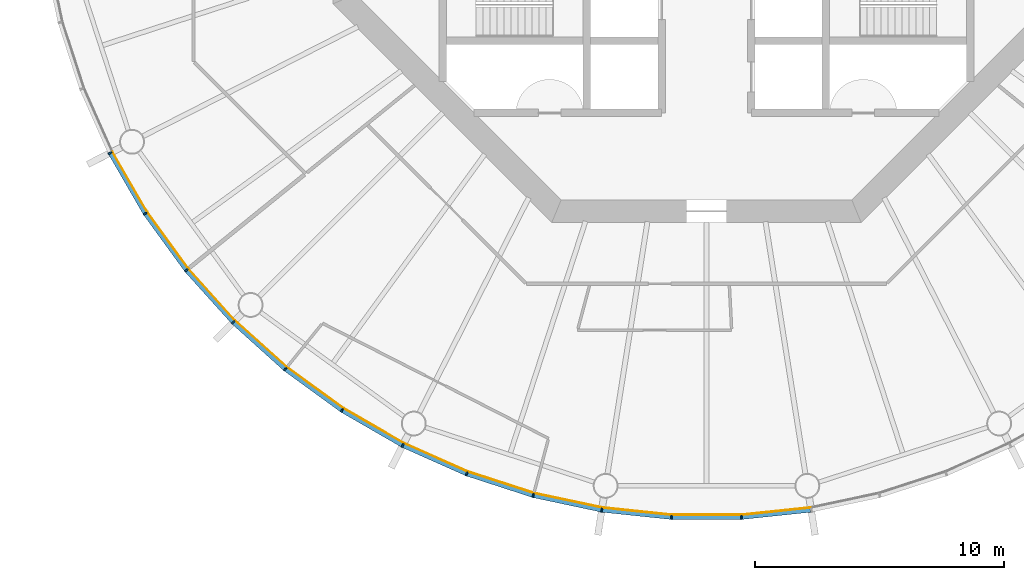
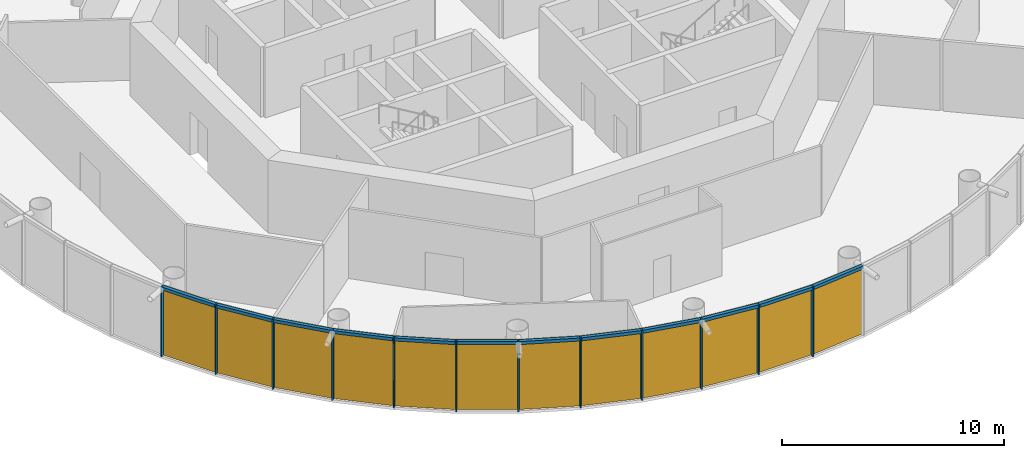
# One storey, part 6 of 12: 24 members, 4 curtain walls.
"""IFC4 building model written with IfcOpenShell, lengths in metres."""

from ifc_helpers import new_model, si_unit, direction, frame, origin, origin_2d, place, context, subcontext, project, spatial, polyline, rectangle, outline, extrude, material, layer, layer_set, material_profile, profile_set, type_object, element, aggregate, save


model = new_model("IFC4")

# Units and contexts
model_context = context("Model", 3, precision=1e-05, world=origin(), true_north=direction((0.0, 1.0)))
body_context = subcontext(model_context, "Body", "Model", "MODEL_VIEW")
ifc_project = project(units=[si_unit("LENGTHUNIT", "METRE"), si_unit("AREAUNIT", "SQUARE_METRE"), si_unit("VOLUMEUNIT", "CUBIC_METRE"), si_unit("PLANEANGLEUNIT", "RADIAN"), si_unit("MASSUNIT", "GRAM", prefix="KILO")], contexts=[model_context])

# Member
ifc_material_1 = material(Name="Anodised aluminium", Category="aluminium")
ifc_material_profile_1 = material_profile(ifc_material_1, rectangle(XDim=0.06005859375, YDim=0.169921875, at=origin_2d()), Name="Mullion 60 x 170 mm anodised aluminium")
ifc_profile_set_1 = profile_set([ifc_material_profile_1], Name="Anodised aluminium")
member_type_1 = type_object("IfcMemberType", Name="Mullion 60 x 170 mm anodised aluminium", PredefinedType="MULLION", material=ifc_profile_set_1)
site_placement = place(None, origin())
building_placement = place(site_placement, origin())
storey_placement = place(building_placement, frame((0.0, 0.0, 246.0)))
member_1_placement = place(storey_placement, frame((66.04541015625, 67.79443359375, 0.0), z_axis=(0.0, 0.0, 1.0), x_axis=(0.45399049974, -0.891006524188, 0.0)))
member_1 = element("IfcMember", 1, at=member_1_placement, type_object=member_type_1, Name="MULLION L56-33", PredefinedType="MULLION", context=body_context, shape_type="SweptSolid", body=[
    extrude(rectangle(XDim=0.06005859375, YDim=0.169921875, at=origin_2d()), origin(), (0.0, 0.0, 1.0), 3.85009765625),
])

member_2_placement = place(storey_placement, frame((67.452392578125, 65.357421875, 0.0), z_axis=(0.0, 0.0, 1.0), x_axis=(0.544639035015, -0.838670567945, 0.0)))
member_2 = element("IfcMember", 2, at=member_2_placement, type_object=member_type_1, Name="MULLION L56-34", PredefinedType="MULLION", context=body_context, shape_type="SweptSolid", body=[
    extrude(rectangle(XDim=0.06005859375, YDim=0.169921875, at=origin_2d()), origin(), (0.0, 0.0, 1.0), 3.85009765625),
])

member_3_placement = place(storey_placement, frame((69.1064453125, 63.080810546875, 0.0), z_axis=(0.0, 0.0, 1.0), x_axis=(0.62932039105, -0.777145961457, 0.0)))
member_3 = element("IfcMember", 3, at=member_3_placement, type_object=member_type_1, Name="MULLION L56-35", PredefinedType="MULLION", context=body_context, shape_type="SweptSolid", body=[
    extrude(rectangle(XDim=0.06005859375, YDim=0.169921875, at=origin_2d()), origin(), (0.0, 0.0, 1.0), 3.85009765625),
])

member_4_placement = place(storey_placement, frame((70.989501953125, 60.989501953125, 0.0), z_axis=(0.0, 0.0, 1.0), x_axis=(0.707106781187, -0.707106781187, 0.0)))
member_4 = element("IfcMember", 4, at=member_4_placement, type_object=member_type_1, Name="MULLION L56-36", PredefinedType="MULLION", context=body_context, shape_type="SweptSolid", body=[
    extrude(rectangle(XDim=0.06005859375, YDim=0.169921875, at=origin_2d()), origin(), (0.0, 0.0, 1.0), 3.85009765625),
])

member_5_placement = place(storey_placement, frame((73.080810546875, 59.1064453125, 0.0), z_axis=(0.0, 0.0, 1.0), x_axis=(0.777145961457, -0.62932039105, 0.0)))
member_5 = element("IfcMember", 5, at=member_5_placement, type_object=member_type_1, Name="MULLION L56-37", PredefinedType="MULLION", context=body_context, shape_type="SweptSolid", body=[
    extrude(rectangle(XDim=0.06005859375, YDim=0.169921875, at=origin_2d()), origin(), (0.0, 0.0, 1.0), 3.85009765625),
])

member_6_placement = place(storey_placement, frame((75.357421875, 57.452392578125, 0.0), z_axis=(0.0, 0.0, 1.0), x_axis=(0.838670567945, -0.544639035015, 0.0)))
member_6 = element("IfcMember", 6, at=member_6_placement, type_object=member_type_1, Name="MULLION L56-38", PredefinedType="MULLION", context=body_context, shape_type="SweptSolid", body=[
    extrude(rectangle(XDim=0.06005859375, YDim=0.169921875, at=origin_2d()), origin(), (0.0, 0.0, 1.0), 3.85009765625),
])

member_7_placement = place(storey_placement, frame((77.79443359375, 56.04541015625, 0.0), z_axis=(0.0, 0.0, 1.0), x_axis=(0.891006524188, -0.45399049974, 0.0)))
member_7 = element("IfcMember", 7, at=member_7_placement, type_object=member_type_1, Name="MULLION L56-39", PredefinedType="MULLION", context=body_context, shape_type="SweptSolid", body=[
    extrude(rectangle(XDim=0.06005859375, YDim=0.169921875, at=origin_2d()), origin(), (0.0, 0.0, 1.0), 3.85009765625),
])

member_8_placement = place(storey_placement, frame((80.365234375, 54.900634765625, 0.0), z_axis=(0.0, 0.0, 1.0), x_axis=(0.933580426497, -0.358367949545, 0.0)))
member_8 = element("IfcMember", 8, at=member_8_placement, type_object=member_type_1, Name="MULLION L56-40", PredefinedType="MULLION", context=body_context, shape_type="SweptSolid", body=[
    extrude(rectangle(XDim=0.06005859375, YDim=0.169921875, at=origin_2d()), origin(), (0.0, 0.0, 1.0), 3.85009765625),
])

member_9_placement = place(storey_placement, frame((83.041748046875, 54.031005859375, 0.0), z_axis=(0.0, 0.0, 1.0), x_axis=(0.965925826289, -0.258819045103, 0.0)))
member_9 = element("IfcMember", 9, at=member_9_placement, type_object=member_type_1, Name="MULLION L56-41", PredefinedType="MULLION", context=body_context, shape_type="SweptSolid", body=[
    extrude(rectangle(XDim=0.06005859375, YDim=0.169921875, at=origin_2d()), origin(), (0.0, 0.0, 1.0), 3.85009765625),
])

member_10_placement = place(storey_placement, frame((85.794189453125, 53.446044921875, 0.0), z_axis=(0.0, 0.0, 1.0), x_axis=(0.987688340595, -0.15643446504, 0.0)))
member_10 = element("IfcMember", 10, at=member_10_placement, type_object=member_type_1, Name="MULLION L56-42", PredefinedType="MULLION", context=body_context, shape_type="SweptSolid", body=[
    extrude(rectangle(XDim=0.06005859375, YDim=0.169921875, at=origin_2d()), origin(), (0.0, 0.0, 1.0), 3.85009765625),
])

member_11_placement = place(storey_placement, frame((88.593017578125, 53.15185546875, 0.0), z_axis=(0.0, 0.0, 1.0), x_axis=(0.998629534755, -0.052335956243, 0.0)))
member_11 = element("IfcMember", 11, at=member_11_placement, type_object=member_type_1, Name="MULLION L56-43", PredefinedType="MULLION", context=body_context, shape_type="SweptSolid", body=[
    extrude(rectangle(XDim=0.06005859375, YDim=0.169921875, at=origin_2d()), origin(), (0.0, 0.0, 1.0), 3.85009765625),
])

member_12_placement = place(storey_placement, frame((91.406982421875, 53.15185546875, 0.0), z_axis=(0.0, 0.0, 1.0), x_axis=(0.998629534755, 0.052335956243, 0.0)))
member_12 = element("IfcMember", 12, at=member_12_placement, type_object=member_type_1, Name="MULLION L56-44", PredefinedType="MULLION", context=body_context, shape_type="SweptSolid", body=[
    extrude(rectangle(XDim=0.06005859375, YDim=0.169921875, at=origin_2d()), origin(), (0.0, 0.0, 1.0), 3.85009765625),
])

ifc_material_2 = material(Name="Anodised aluminium", Category="aluminium")
ifc_material_profile_2 = material_profile(ifc_material_2, rectangle(XDim=0.169921875, YDim=0.1650390625, at=origin_2d()), Name="Transom 165 x 170 mm anodised aluminium")
ifc_profile_set_2 = profile_set([ifc_material_profile_2], Name="Anodised aluminium")
member_type_2 = type_object("IfcMemberType", Name="Transom 165 x 170 mm anodised aluminium", PredefinedType="USERDEFINED", material=ifc_profile_set_2)
member_13_placement = place(storey_placement, frame((66.0625, 67.7646484375, 3.767578125), z_axis=(0.49998419723, -0.866034527326, 0.0), x_axis=(0.866034527326, 0.49998419723, 0.0)))
member_13 = element("IfcMember", 13, at=member_13_placement, type_object=member_type_2, Name="TRANSOM L56-33", ObjectType="TRANSOM", PredefinedType="USERDEFINED", context=body_context, shape_type="SweptSolid", body=[
    extrude(rectangle(XDim=0.169921875, YDim=0.1650390625, at=origin_2d()), origin(), (0.0, 0.0, 1.0), 2.7451171875),
])

member_14_placement = place(storey_placement, frame((67.472412109375, 65.329345703125, 3.767578125), z_axis=(0.587864947412, -0.808959086484, 0.0), x_axis=(0.808959086484, 0.587864947412, 0.0)))
member_14 = element("IfcMember", 14, at=member_14_placement, type_object=member_type_2, Name="TRANSOM L56-34", ObjectType="TRANSOM", PredefinedType="USERDEFINED", context=body_context, shape_type="SweptSolid", body=[
    extrude(rectangle(XDim=0.169921875, YDim=0.1650390625, at=origin_2d()), origin(), (0.0, 0.0, 1.0), 2.7451171875),
])

member_15_placement = place(storey_placement, frame((69.12939453125, 63.054931640625, 3.767578125), z_axis=(0.669141598561, -0.743134927907, 0.0), x_axis=(0.743134927907, 0.669141598561, 0.0)))
member_15 = element("IfcMember", 15, at=member_15_placement, type_object=member_type_2, Name="TRANSOM L56-35", ObjectType="TRANSOM", PredefinedType="USERDEFINED", context=body_context, shape_type="SweptSolid", body=[
    extrude(rectangle(XDim=0.169921875, YDim=0.1650390625, at=origin_2d()), origin(), (0.0, 0.0, 1.0), 2.7451171875),
])

member_16_placement = place(storey_placement, frame((71.014892578125, 60.96630859375, 3.767578125), z_axis=(0.743134927907, -0.669141598561, 0.0), x_axis=(0.669141598561, 0.743134927907, 0.0)))
member_16 = element("IfcMember", 16, at=member_16_placement, type_object=member_type_2, Name="TRANSOM L56-36", ObjectType="TRANSOM", PredefinedType="USERDEFINED", context=body_context, shape_type="SweptSolid", body=[
    extrude(rectangle(XDim=0.169921875, YDim=0.1650390625, at=origin_2d()), origin(), (0.0, 0.0, 1.0), 2.7451171875),
])

member_17_placement = place(storey_placement, frame((73.108642578125, 59.086181640625, 3.767578125), z_axis=(0.808959086484, -0.587864947412, 0.0), x_axis=(0.587864947412, 0.808959086484, 0.0)))
member_17 = element("IfcMember", 17, at=member_17_placement, type_object=member_type_2, Name="TRANSOM L56-37", ObjectType="TRANSOM", PredefinedType="USERDEFINED", context=body_context, shape_type="SweptSolid", body=[
    extrude(rectangle(XDim=0.169921875, YDim=0.1650390625, at=origin_2d()), origin(), (0.0, 0.0, 1.0), 2.7451171875),
])

member_18_placement = place(storey_placement, frame((75.38720703125, 57.43505859375, 3.767578125), z_axis=(0.866034527326, -0.49998419723, 0.0), x_axis=(0.49998419723, 0.866034527326, 0.0)))
member_18 = element("IfcMember", 18, at=member_18_placement, type_object=member_type_2, Name="TRANSOM L56-38", ObjectType="TRANSOM", PredefinedType="USERDEFINED", context=body_context, shape_type="SweptSolid", body=[
    extrude(rectangle(XDim=0.169921875, YDim=0.1650390625, at=origin_2d()), origin(), (0.0, 0.0, 1.0), 2.7451171875),
])

member_19_placement = place(storey_placement, frame((77.825927734375, 56.03125, 3.767578125), z_axis=(0.913525267704, -0.406781987391, 0.0), x_axis=(0.406781987391, 0.913525267704, 0.0)))
member_19 = element("IfcMember", 19, at=member_19_placement, type_object=member_type_2, Name="TRANSOM L56-39", ObjectType="TRANSOM", PredefinedType="USERDEFINED", context=body_context, shape_type="SweptSolid", body=[
    extrude(rectangle(XDim=0.169921875, YDim=0.1650390625, at=origin_2d()), origin(), (0.0, 0.0, 1.0), 2.7451171875),
])

member_20_placement = place(storey_placement, frame((80.39794921875, 54.889892578125, 3.767578125), z_axis=(0.951048445774, -0.309041831781, 0.0), x_axis=(0.309041831781, 0.951048445774, 0.0)))
member_20 = element("IfcMember", 20, at=member_20_placement, type_object=member_type_2, Name="TRANSOM L56-40", ObjectType="TRANSOM", PredefinedType="USERDEFINED", context=body_context, shape_type="SweptSolid", body=[
    extrude(rectangle(XDim=0.169921875, YDim=0.1650390625, at=origin_2d()), origin(), (0.0, 0.0, 1.0), 2.7451171875),
])

member_21_placement = place(storey_placement, frame((83.075439453125, 54.02392578125, 3.767578125), z_axis=(0.97814212115, -0.207937468562, 0.0), x_axis=(0.207937468562, 0.97814212115, 0.0)))
member_21 = element("IfcMember", 21, at=member_21_placement, type_object=member_type_2, Name="TRANSOM L56-41", ObjectType="TRANSOM", PredefinedType="USERDEFINED", context=body_context, shape_type="SweptSolid", body=[
    extrude(rectangle(XDim=0.169921875, YDim=0.1650390625, at=origin_2d()), origin(), (0.0, 0.0, 1.0), 2.7451171875),
])

member_22_placement = place(storey_placement, frame((85.82861328125, 53.4423828125, 3.767578125), z_axis=(0.994515195344, -0.104592190102, 0.0), x_axis=(0.104592190102, 0.994515195344, 0.0)))
member_22 = element("IfcMember", 22, at=member_22_placement, type_object=member_type_2, Name="TRANSOM L56-42", ObjectType="TRANSOM", PredefinedType="USERDEFINED", context=body_context, shape_type="SweptSolid", body=[
    extrude(rectangle(XDim=0.169921875, YDim=0.1650390625, at=origin_2d()), origin(), (0.0, 0.0, 1.0), 2.7451171875),
])

member_23_placement = place(storey_placement, frame((88.62744140625, 53.151611328125, 3.767578125), z_axis=(1.0, 0.0, 0.0), x_axis=(0.0, 1.0, 0.0)))
member_23 = element("IfcMember", 23, at=member_23_placement, type_object=member_type_2, Name="TRANSOM L56-43", ObjectType="TRANSOM", PredefinedType="USERDEFINED", context=body_context, shape_type="SweptSolid", body=[
    extrude(rectangle(XDim=0.169921875, YDim=0.1650390625, at=origin_2d()), origin(), (0.0, 0.0, 1.0), 2.7451171875),
])

member_24_placement = place(storey_placement, frame((91.44140625, 53.1552734375, 3.767578125), z_axis=(0.994515195344, 0.104592190102, 0.0), x_axis=(-0.104592190102, 0.994515195344, 0.0)))
member_24 = element("IfcMember", 24, at=member_24_placement, type_object=member_type_2, Name="TRANSOM L56-44", ObjectType="TRANSOM", PredefinedType="USERDEFINED", context=body_context, shape_type="SweptSolid", body=[
    extrude(rectangle(XDim=0.169921875, YDim=0.1650390625, at=origin_2d()), origin(), (0.0, 0.0, 1.0), 2.7451171875),
])

# Site, building, storey
site = spatial("IfcSite", under=ifc_project, at=site_placement, CompositionType="ELEMENT")
building = spatial("IfcBuilding", under=site, at=building_placement, Name="Entoto Ring Tower", CompositionType="ELEMENT")
storey = spatial("IfcBuildingStorey", under=building, at=storey_placement, Name="L56", CompositionType="ELEMENT", Elevation=246.0)

# Curtain wall
ifc_material_3 = material(Name="Clear low-iron glass", Category="glass")
ifc_layer = layer(ifc_material_3, 0.031982421875)
ifc_layer_set = layer_set([ifc_layer], Name="Clear low-iron glass")
curtain_wall_type = type_object("IfcCurtainWallType", Name="Curtain wall system CW4 glazing 32 mm", PredefinedType="NOTDEFINED", material=ifc_layer_set)
curtain_wall_1_placement = place(storey_placement, origin())
curtain_wall_1 = element("IfcCurtainWall", 25, at=curtain_wall_1_placement, inside=storey, type_object=curtain_wall_type, Name="CW4 L56-12", PredefinedType="NOTDEFINED", context=body_context, shape_type="SweptSolid", body=[
    extrude(outline(polyline([(66.12109375, 67.8330078125), (67.523681640625, 65.403564453125), (69.172607421875, 63.13427734375), (71.049560546875, 61.049560546875), (71.072265625, 61.072265625), (69.197509765625, 63.154296875), (67.550537109375, 65.421142578125), (66.149658203125, 67.84765625), (66.12109375, 67.8330078125)])), origin(), (0.0, 0.0, 1.0), 3.85009765625),
])

aggregate(curtain_wall_1, [member_1, member_2, member_3, member_13, member_14, member_15])

curtain_wall_2_placement = place(storey_placement, origin())
curtain_wall_2 = element("IfcCurtainWall", 26, at=curtain_wall_2_placement, inside=storey, type_object=curtain_wall_type, Name="CW4 L56-13", PredefinedType="NOTDEFINED", context=body_context, shape_type="SweptSolid", body=[
    extrude(outline(polyline([(71.049560546875, 61.049560546875), (73.13427734375, 59.172607421875), (75.403564453125, 57.523681640625), (77.8330078125, 56.12109375), (77.84765625, 56.149658203125), (75.421142578125, 57.550537109375), (73.154296875, 59.197509765625), (71.072265625, 61.072265625), (71.049560546875, 61.049560546875)])), origin(), (0.0, 0.0, 1.0), 3.85009765625),
])

aggregate(curtain_wall_2, [member_4, member_5, member_6, member_16, member_17, member_18])

curtain_wall_3_placement = place(storey_placement, origin())
curtain_wall_3 = element("IfcCurtainWall", 27, at=curtain_wall_3_placement, inside=storey, type_object=curtain_wall_type, Name="CW4 L56-14", PredefinedType="NOTDEFINED", context=body_context, shape_type="SweptSolid", body=[
    extrude(outline(polyline([(77.8330078125, 56.12109375), (80.395751953125, 54.97998046875), (83.063720703125, 54.11328125), (85.8076171875, 53.530029296875), (85.8125, 53.5615234375), (83.072021484375, 54.14404296875), (80.4072265625, 55.010009765625), (77.84765625, 56.149658203125), (77.8330078125, 56.12109375)])), origin(), (0.0, 0.0, 1.0), 3.85009765625),
])

aggregate(curtain_wall_3, [member_7, member_8, member_9, member_19, member_20, member_21])

curtain_wall_4_placement = place(storey_placement, origin())
curtain_wall_4 = element("IfcCurtainWall", 28, at=curtain_wall_4_placement, inside=storey, type_object=curtain_wall_type, Name="CW4 L56-15", PredefinedType="NOTDEFINED", context=body_context, shape_type="SweptSolid", body=[
    extrude(outline(polyline([(85.8076171875, 53.530029296875), (88.597412109375, 53.23681640625), (91.402587890625, 53.23681640625), (94.1923828125, 53.530029296875), (94.1875, 53.5615234375), (91.40087890625, 53.268798828125), (88.59912109375, 53.268798828125), (85.8125, 53.5615234375), (85.8076171875, 53.530029296875)])), origin(), (0.0, 0.0, 1.0), 3.85009765625),
])

aggregate(curtain_wall_4, [member_10, member_11, member_12, member_22, member_23, member_24])

save(model, "model.ifc")
